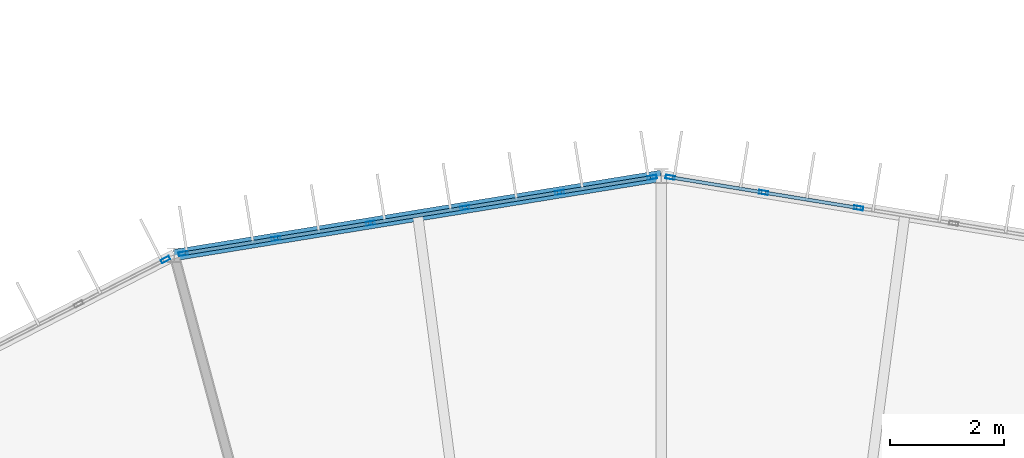
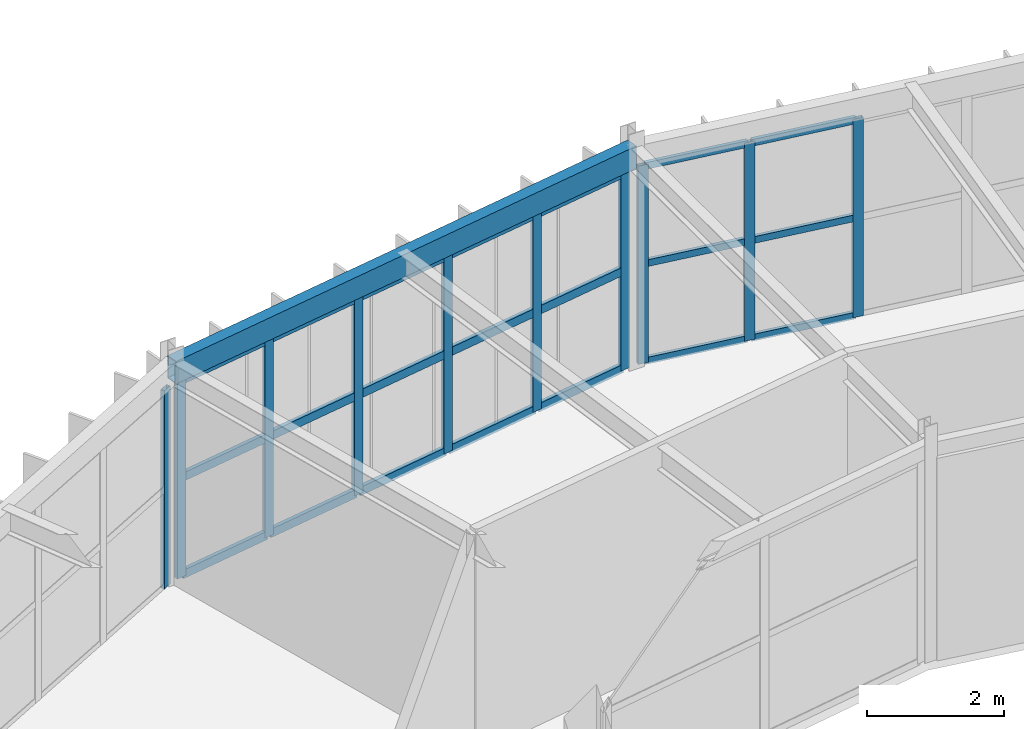
# One storey, part 64 of 106: 31 members, 1 beam, 3 elements without a shape of their own.
"""IFC4 building model written with IfcOpenShell, lengths in metres."""

from ifc_helpers import new_model, si_unit, direction, frame, origin, origin_2d, place, context, subcontext, project, spatial, hollow_rectangle, extrude, material, material_profile, profile_set, type_object, element, aggregate, save


model = new_model("IFC4")

# Units and contexts
model_context = context("Model", 3, precision=1e-05, world=origin(), true_north=direction((0.0, 1.0)))
body_context = subcontext(model_context, "Body", "Model", "MODEL_VIEW")
ifc_project = project(units=[si_unit("LENGTHUNIT", "METRE"), si_unit("AREAUNIT", "SQUARE_METRE"), si_unit("VOLUMEUNIT", "CUBIC_METRE"), si_unit("PLANEANGLEUNIT", "RADIAN"), si_unit("MASSUNIT", "GRAM", prefix="KILO")], contexts=[model_context])

# Site, building, storey
site_placement = place(None, origin())
site = spatial("IfcSite", under=ifc_project, at=site_placement, CompositionType="ELEMENT")
building_placement = place(site_placement, origin())
building = spatial("IfcBuilding", under=site, at=building_placement, Name="Karori Crest Natural Sciences Institute", CompositionType="ELEMENT")
storey_placement = place(building_placement, frame((0.0, 0.0, 25.89990234375)))
storey = spatial("IfcBuildingStorey", under=building, at=storey_placement, Name="L06", CompositionType="ELEMENT", Elevation=25.89990234375)

# Beam
ifc_material_1 = material(Name="Hollow structural steel AS/NZS 1163 Grade C350", Category="steel")
ifc_material_profile_1 = material_profile(ifc_material_1, hollow_rectangle(XDim=0.199951171875, YDim=0.39990234375, WallThickness=0.012451171875, at=origin_2d()), Name="RHS400x200x12.5")
ifc_profile_set_1 = profile_set([ifc_material_profile_1], Name="Hollow structural steel AS/NZS 1163 Grade C350")
beam_type = type_object("IfcBeamType", Name="BT-14", PredefinedType="SPANDREL", material=ifc_profile_set_1)
beam_placement = place(storey_placement, frame((66.39990234375, 90.699951171875, 3.739990234375), z_axis=(-0.987012055933, -0.160646199591, 0.0), x_axis=(0.160646199591, -0.987012055933, 0.0)))
element("IfcBeam", 1, at=beam_placement, inside=storey, type_object=beam_type, Name="Beam B-0662", PredefinedType="SPANDREL", context=body_context, shape_type="SweptSolid", body=[
    extrude(hollow_rectangle(XDim=0.199951171875, YDim=0.39990234375, WallThickness=0.012451171875, at=origin_2d()), origin(), (0.0, 0.0, 1.0), 8.6533203125),
])

# Curtain wall, members
ifc_material_2 = material(Name="Anodised architectural aluminium 6063-T6", Category="aluminium")
curtain_wall_type_1 = type_object("IfcCurtainWallType", Name="CWT-06", PredefinedType="NOTDEFINED", material=ifc_material_2)
curtain_wall_1_placement = place(storey_placement, origin())
curtain_wall_1 = element("IfcCurtainWall", 2, at=curtain_wall_1_placement, inside=storey, type_object=curtain_wall_type_1, Name="Curtain wall CW-0228", PredefinedType="NOTDEFINED")
ifc_material_profile_2 = material_profile(ifc_material_2, hollow_rectangle(XDim=0.06494140625, YDim=0.159912109375, WallThickness=0.00390625, at=origin_2d()), Name="CWM160x65x4")
ifc_profile_set_2 = profile_set([ifc_material_profile_2], Name="Anodised architectural aluminium 6063-T6")
member_type_1 = type_object("IfcMemberType", Name="CWM-01", PredefinedType="MULLION", material=ifc_profile_set_2)
member_1_placement = place(storey_placement, frame((66.55810546875, 90.67431640625, 0.0), z_axis=(0.0, 0.0, 1.0), x_axis=(0.160655493101, 0.987010543275, 0.0)))
member_1 = element("IfcMember", 3, at=member_1_placement, type_object=member_type_1, Name="CW-0228 mullion 1", PredefinedType="MULLION", context=body_context, shape_type="SweptSolid", body=[
    extrude(hollow_rectangle(XDim=0.06494140625, YDim=0.159912109375, WallThickness=0.00390625, at=origin_2d()), origin(), (0.0, 0.0, 1.0), 3.525146484375),
])
member_2_placement = place(storey_placement, frame((68.194091796875, 90.407958984375, 0.0), z_axis=(0.0, 0.0, 1.0), x_axis=(0.160655493101, 0.987010543275, 0.0)))
member_2 = element("IfcMember", 4, at=member_2_placement, type_object=member_type_1, Name="CW-0228 mullion 2", PredefinedType="MULLION", context=body_context, shape_type="SweptSolid", body=[
    extrude(hollow_rectangle(XDim=0.06494140625, YDim=0.159912109375, WallThickness=0.00390625, at=origin_2d()), origin(), (0.0, 0.0, 1.0), 3.525146484375),
])
member_3_placement = place(storey_placement, frame((69.862060546875, 90.136474609375, 0.0), z_axis=(0.0, 0.0, 1.0), x_axis=(0.160655493101, 0.987010543275, 0.0)))
member_3 = element("IfcMember", 5, at=member_3_placement, type_object=member_type_1, Name="CW-0228 mullion 3", PredefinedType="MULLION", context=body_context, shape_type="SweptSolid", body=[
    extrude(hollow_rectangle(XDim=0.06494140625, YDim=0.159912109375, WallThickness=0.00390625, at=origin_2d()), origin(), (0.0, 0.0, 1.0), 3.525146484375),
])

curtain_wall_type_2 = type_object("IfcCurtainWallType", Name="CWT-07", PredefinedType="NOTDEFINED", material=ifc_material_2)
curtain_wall_2_placement = place(storey_placement, origin())
curtain_wall_2 = element("IfcCurtainWall", 6, at=curtain_wall_2_placement, inside=storey, type_object=curtain_wall_type_2, Name="Curtain wall CW-0229", PredefinedType="NOTDEFINED")
member_4_placement = place(storey_placement, frame((58.01611328125, 89.33544921875, 0.0), z_axis=(0.0, 0.0, 1.0), x_axis=(-0.160650246484, 0.987011397252, 0.0)))
member_4 = element("IfcMember", 7, at=member_4_placement, type_object=member_type_1, Name="CW-0229 mullion 1", PredefinedType="MULLION", context=body_context, shape_type="SweptSolid", body=[
    extrude(hollow_rectangle(XDim=0.06494140625, YDim=0.159912109375, WallThickness=0.00390625, at=origin_2d()), origin(), (0.0, 0.0, 1.0), 3.525146484375),
])
member_5_placement = place(storey_placement, frame((59.64208984375, 89.60009765625, 0.0), z_axis=(0.0, 0.0, 1.0), x_axis=(-0.160650246484, 0.987011397252, 0.0)))
member_5 = element("IfcMember", 8, at=member_5_placement, type_object=member_type_1, Name="CW-0229 mullion 2", PredefinedType="MULLION", context=body_context, shape_type="SweptSolid", body=[
    extrude(hollow_rectangle(XDim=0.06494140625, YDim=0.159912109375, WallThickness=0.00390625, at=origin_2d()), origin(), (0.0, 0.0, 1.0), 3.525146484375),
])
member_6_placement = place(storey_placement, frame((61.300048828125, 89.869873046875, 0.0), z_axis=(0.0, 0.0, 1.0), x_axis=(-0.160650246484, 0.987011397252, 0.0)))
member_6 = element("IfcMember", 9, at=member_6_placement, type_object=member_type_1, Name="CW-0229 mullion 3", PredefinedType="MULLION", context=body_context, shape_type="SweptSolid", body=[
    extrude(hollow_rectangle(XDim=0.06494140625, YDim=0.159912109375, WallThickness=0.00390625, at=origin_2d()), origin(), (0.0, 0.0, 1.0), 3.525146484375),
])
member_7_placement = place(storey_placement, frame((62.9580078125, 90.139892578125, 0.0), z_axis=(0.0, 0.0, 1.0), x_axis=(-0.160650246484, 0.987011397252, 0.0)))
member_7 = element("IfcMember", 10, at=member_7_placement, type_object=member_type_1, Name="CW-0229 mullion 4", PredefinedType="MULLION", context=body_context, shape_type="SweptSolid", body=[
    extrude(hollow_rectangle(XDim=0.06494140625, YDim=0.159912109375, WallThickness=0.00390625, at=origin_2d()), origin(), (0.0, 0.0, 1.0), 3.525146484375),
])
member_8_placement = place(storey_placement, frame((64.615966796875, 90.40966796875, 0.0), z_axis=(0.0, 0.0, 1.0), x_axis=(-0.160650246484, 0.987011397252, 0.0)))
member_8 = element("IfcMember", 11, at=member_8_placement, type_object=member_type_1, Name="CW-0229 mullion 5", PredefinedType="MULLION", context=body_context, shape_type="SweptSolid", body=[
    extrude(hollow_rectangle(XDim=0.06494140625, YDim=0.159912109375, WallThickness=0.00390625, at=origin_2d()), origin(), (0.0, 0.0, 1.0), 3.525146484375),
])
member_9_placement = place(storey_placement, frame((66.241943359375, 90.67431640625, 0.0), z_axis=(0.0, 0.0, 1.0), x_axis=(-0.160650246484, 0.987011397252, 0.0)))
member_9 = element("IfcMember", 12, at=member_9_placement, type_object=member_type_1, Name="CW-0229 mullion 6", PredefinedType="MULLION", context=body_context, shape_type="SweptSolid", body=[
    extrude(hollow_rectangle(XDim=0.06494140625, YDim=0.159912109375, WallThickness=0.00390625, at=origin_2d()), origin(), (0.0, 0.0, 1.0), 3.525146484375),
])

# Curtain wall, member
curtain_wall_type_3 = type_object("IfcCurtainWallType", Name="CWT-08", PredefinedType="NOTDEFINED", material=ifc_material_2)
curtain_wall_3_placement = place(storey_placement, origin())
curtain_wall_3 = element("IfcCurtainWall", 13, at=curtain_wall_3_placement, inside=storey, type_object=curtain_wall_type_3, Name="Curtain wall CW-0231", PredefinedType="NOTDEFINED")
member_10_placement = place(storey_placement, frame((57.704833984375, 89.23095703125, 0.0), z_axis=(0.0, 0.0, 1.0), x_axis=(-0.455828878252, 0.890067432138, 0.0)))
member_10 = element("IfcMember", 14, at=member_10_placement, type_object=member_type_1, Name="CW-0231 mullion 6", PredefinedType="MULLION", context=body_context, shape_type="SweptSolid", body=[
    extrude(hollow_rectangle(XDim=0.06494140625, YDim=0.159912109375, WallThickness=0.00390625, at=origin_2d()), origin(), (0.0, 0.0, 1.0), 3.525146484375),
])
aggregate(curtain_wall_3, [member_10])

# Member
ifc_material_profile_3 = material_profile(ifc_material_2, hollow_rectangle(XDim=0.06005859375, YDim=0.1201171875, WallThickness=0.00390625, at=origin_2d()), Name="CWT120x60x4")
ifc_profile_set_3 = profile_set([ifc_material_profile_3], Name="Anodised architectural aluminium 6063-T6")
member_type_2 = type_object("IfcMemberType", Name="CWT-TR1", PredefinedType="USERDEFINED", material=ifc_profile_set_3)
member_11_placement = place(storey_placement, frame((66.590087890625, 90.6689453125, 0.030029296875), z_axis=(0.987032702113, -0.160519297781, 0.0), x_axis=(0.160519297781, 0.987032702113, 0.0)))
member_11 = element("IfcMember", 15, at=member_11_placement, type_object=member_type_2, Name="CW-0228 transom 1.1", ObjectType="TRANSOM", PredefinedType="USERDEFINED", context=body_context, shape_type="SweptSolid", body=[
    extrude(hollow_rectangle(XDim=0.06005859375, YDim=0.1201171875, WallThickness=0.00390625, at=origin_2d()), origin(), (0.0, 0.0, 1.0), 1.592529296875),
])

member_12_placement = place(storey_placement, frame((66.590087890625, 90.6689453125, 1.7626953125), z_axis=(0.987032702113, -0.160519297781, 0.0), x_axis=(0.160519297781, 0.987032702113, 0.0)))
member_12 = element("IfcMember", 16, at=member_12_placement, type_object=member_type_2, Name="CW-0228 transom 1.2", ObjectType="TRANSOM", PredefinedType="USERDEFINED", context=body_context, shape_type="SweptSolid", body=[
    extrude(hollow_rectangle(XDim=0.06005859375, YDim=0.1201171875, WallThickness=0.00390625, at=origin_2d()), origin(), (0.0, 0.0, 1.0), 1.592529296875),
])

member_13_placement = place(storey_placement, frame((66.590087890625, 90.6689453125, 3.4951171875), z_axis=(0.987032702113, -0.160519297781, 0.0), x_axis=(0.160519297781, 0.987032702113, 0.0)))
member_13 = element("IfcMember", 17, at=member_13_placement, type_object=member_type_2, Name="CW-0228 transom 1.3", ObjectType="TRANSOM", PredefinedType="USERDEFINED", context=body_context, shape_type="SweptSolid", body=[
    extrude(hollow_rectangle(XDim=0.06005859375, YDim=0.1201171875, WallThickness=0.00390625, at=origin_2d()), origin(), (0.0, 0.0, 1.0), 1.592529296875),
])

member_14_placement = place(storey_placement, frame((68.22607421875, 90.40283203125, 0.030029296875), z_axis=(0.98699230398, -0.160767508793, 0.0), x_axis=(0.160767508793, 0.98699230398, 0.0)))
member_14 = element("IfcMember", 18, at=member_14_placement, type_object=member_type_2, Name="CW-0228 transom 2.1", ObjectType="TRANSOM", PredefinedType="USERDEFINED", context=body_context, shape_type="SweptSolid", body=[
    extrude(hollow_rectangle(XDim=0.06005859375, YDim=0.1201171875, WallThickness=0.00390625, at=origin_2d()), origin(), (0.0, 0.0, 1.0), 1.625),
])

member_15_placement = place(storey_placement, frame((68.22607421875, 90.40283203125, 1.7626953125), z_axis=(0.98699230398, -0.160767508793, 0.0), x_axis=(0.160767508793, 0.98699230398, 0.0)))
member_15 = element("IfcMember", 19, at=member_15_placement, type_object=member_type_2, Name="CW-0228 transom 2.2", ObjectType="TRANSOM", PredefinedType="USERDEFINED", context=body_context, shape_type="SweptSolid", body=[
    extrude(hollow_rectangle(XDim=0.06005859375, YDim=0.1201171875, WallThickness=0.00390625, at=origin_2d()), origin(), (0.0, 0.0, 1.0), 1.625),
])

member_16_placement = place(storey_placement, frame((68.22607421875, 90.40283203125, 3.4951171875), z_axis=(0.98699230398, -0.160767508793, 0.0), x_axis=(0.160767508793, 0.98699230398, 0.0)))
member_16 = element("IfcMember", 20, at=member_16_placement, type_object=member_type_2, Name="CW-0228 transom 2.3", ObjectType="TRANSOM", PredefinedType="USERDEFINED", context=body_context, shape_type="SweptSolid", body=[
    extrude(hollow_rectangle(XDim=0.06005859375, YDim=0.1201171875, WallThickness=0.00390625, at=origin_2d()), origin(), (0.0, 0.0, 1.0), 1.625),
])

aggregate(curtain_wall_1, [member_1, member_2, member_3, member_11, member_12, member_13, member_14, member_15, member_16])

ifc_material_profile_4 = material_profile(ifc_material_2, hollow_rectangle(XDim=0.06494140625, YDim=0.14990234375, WallThickness=0.00390625, at=origin_2d()), Name="CWT150x65x4")
ifc_profile_set_4 = profile_set([ifc_material_profile_4], Name="Anodised architectural aluminium 6063-T6")
member_type_3 = type_object("IfcMemberType", Name="CWT-TR2", PredefinedType="USERDEFINED", material=ifc_profile_set_4)
member_17_placement = place(storey_placement, frame((58.04833984375, 89.340576171875, 0.03271484375), z_axis=(0.987016373134, 0.160619672414, 0.0), x_axis=(-0.160619672414, 0.987016373134, 0.0)))
member_17 = element("IfcMember", 21, at=member_17_placement, type_object=member_type_3, Name="CW-0229 transom 1.1", ObjectType="TRANSOM", PredefinedType="USERDEFINED", context=body_context, shape_type="SweptSolid", body=[
    extrude(hollow_rectangle(XDim=0.06494140625, YDim=0.14990234375, WallThickness=0.00390625, at=origin_2d()), origin(), (0.0, 0.0, 1.0), 1.582275390625),
])

member_18_placement = place(storey_placement, frame((58.04833984375, 89.340576171875, 1.7626953125), z_axis=(0.987016373134, 0.160619672414, 0.0), x_axis=(-0.160619672414, 0.987016373134, 0.0)))
member_18 = element("IfcMember", 22, at=member_18_placement, type_object=member_type_3, Name="CW-0229 transom 1.2", ObjectType="TRANSOM", PredefinedType="USERDEFINED", context=body_context, shape_type="SweptSolid", body=[
    extrude(hollow_rectangle(XDim=0.06494140625, YDim=0.14990234375, WallThickness=0.00390625, at=origin_2d()), origin(), (0.0, 0.0, 1.0), 1.582275390625),
])

member_19_placement = place(storey_placement, frame((58.04833984375, 89.340576171875, 3.49267578125), z_axis=(0.987016373134, 0.160619672414, 0.0), x_axis=(-0.160619672414, 0.987016373134, 0.0)))
member_19 = element("IfcMember", 23, at=member_19_placement, type_object=member_type_3, Name="CW-0229 transom 1.3", ObjectType="TRANSOM", PredefinedType="USERDEFINED", context=body_context, shape_type="SweptSolid", body=[
    extrude(hollow_rectangle(XDim=0.06494140625, YDim=0.14990234375, WallThickness=0.00390625, at=origin_2d()), origin(), (0.0, 0.0, 1.0), 1.582275390625),
])

member_20_placement = place(storey_placement, frame((59.674072265625, 89.605224609375, 0.03271484375), z_axis=(0.987003924492, 0.160696151284, 0.0), x_axis=(-0.160696151284, 0.987003924492, 0.0)))
member_20 = element("IfcMember", 24, at=member_20_placement, type_object=member_type_3, Name="CW-0229 transom 2.1", ObjectType="TRANSOM", PredefinedType="USERDEFINED", context=body_context, shape_type="SweptSolid", body=[
    extrude(hollow_rectangle(XDim=0.06494140625, YDim=0.14990234375, WallThickness=0.00390625, at=origin_2d()), origin(), (0.0, 0.0, 1.0), 1.614990234375),
])

member_21_placement = place(storey_placement, frame((59.674072265625, 89.605224609375, 1.7626953125), z_axis=(0.987003924492, 0.160696151284, 0.0), x_axis=(-0.160696151284, 0.987003924492, 0.0)))
member_21 = element("IfcMember", 25, at=member_21_placement, type_object=member_type_3, Name="CW-0229 transom 2.2", ObjectType="TRANSOM", PredefinedType="USERDEFINED", context=body_context, shape_type="SweptSolid", body=[
    extrude(hollow_rectangle(XDim=0.06494140625, YDim=0.14990234375, WallThickness=0.00390625, at=origin_2d()), origin(), (0.0, 0.0, 1.0), 1.614990234375),
])

member_22_placement = place(storey_placement, frame((59.674072265625, 89.605224609375, 3.49267578125), z_axis=(0.987003924492, 0.160696151284, 0.0), x_axis=(-0.160696151284, 0.987003924492, 0.0)))
member_22 = element("IfcMember", 26, at=member_22_placement, type_object=member_type_3, Name="CW-0229 transom 2.3", ObjectType="TRANSOM", PredefinedType="USERDEFINED", context=body_context, shape_type="SweptSolid", body=[
    extrude(hollow_rectangle(XDim=0.06494140625, YDim=0.14990234375, WallThickness=0.00390625, at=origin_2d()), origin(), (0.0, 0.0, 1.0), 1.614990234375),
])

member_23_placement = place(storey_placement, frame((61.33203125, 89.875244140625, 0.03271484375), z_axis=(0.987027891182, 0.160548877383, 0.0), x_axis=(-0.160548877383, 0.987027891182, 0.0)))
member_23 = element("IfcMember", 27, at=member_23_placement, type_object=member_type_3, Name="CW-0229 transom 3.1", ObjectType="TRANSOM", PredefinedType="USERDEFINED", context=body_context, shape_type="SweptSolid", body=[
    extrude(hollow_rectangle(XDim=0.06494140625, YDim=0.14990234375, WallThickness=0.00390625, at=origin_2d()), origin(), (0.0, 0.0, 1.0), 1.614990234375),
])

member_24_placement = place(storey_placement, frame((61.33203125, 89.875244140625, 1.7626953125), z_axis=(0.987027891182, 0.160548877383, 0.0), x_axis=(-0.160548877383, 0.987027891182, 0.0)))
member_24 = element("IfcMember", 28, at=member_24_placement, type_object=member_type_3, Name="CW-0229 transom 3.2", ObjectType="TRANSOM", PredefinedType="USERDEFINED", context=body_context, shape_type="SweptSolid", body=[
    extrude(hollow_rectangle(XDim=0.06494140625, YDim=0.14990234375, WallThickness=0.00390625, at=origin_2d()), origin(), (0.0, 0.0, 1.0), 1.614990234375),
])

member_25_placement = place(storey_placement, frame((61.33203125, 89.875244140625, 3.49267578125), z_axis=(0.987027891182, 0.160548877383, 0.0), x_axis=(-0.160548877383, 0.987027891182, 0.0)))
member_25 = element("IfcMember", 29, at=member_25_placement, type_object=member_type_3, Name="CW-0229 transom 3.3", ObjectType="TRANSOM", PredefinedType="USERDEFINED", context=body_context, shape_type="SweptSolid", body=[
    extrude(hollow_rectangle(XDim=0.06494140625, YDim=0.14990234375, WallThickness=0.00390625, at=origin_2d()), origin(), (0.0, 0.0, 1.0), 1.614990234375),
])

member_26_placement = place(storey_placement, frame((62.990234375, 90.14501953125, 0.03271484375), z_axis=(0.987023993607, 0.160572837195, 0.0), x_axis=(-0.160572837195, 0.987023993607, 0.0)))
member_26 = element("IfcMember", 30, at=member_26_placement, type_object=member_type_3, Name="CW-0229 transom 4.1", ObjectType="TRANSOM", PredefinedType="USERDEFINED", context=body_context, shape_type="SweptSolid", body=[
    extrude(hollow_rectangle(XDim=0.06494140625, YDim=0.14990234375, WallThickness=0.00390625, at=origin_2d()), origin(), (0.0, 0.0, 1.0), 1.61474609375),
])

member_27_placement = place(storey_placement, frame((62.990234375, 90.14501953125, 1.7626953125), z_axis=(0.987023993607, 0.160572837195, 0.0), x_axis=(-0.160572837195, 0.987023993607, 0.0)))
member_27 = element("IfcMember", 31, at=member_27_placement, type_object=member_type_3, Name="CW-0229 transom 4.2", ObjectType="TRANSOM", PredefinedType="USERDEFINED", context=body_context, shape_type="SweptSolid", body=[
    extrude(hollow_rectangle(XDim=0.06494140625, YDim=0.14990234375, WallThickness=0.00390625, at=origin_2d()), origin(), (0.0, 0.0, 1.0), 1.61474609375),
])

member_28_placement = place(storey_placement, frame((62.990234375, 90.14501953125, 3.49267578125), z_axis=(0.987023993607, 0.160572837195, 0.0), x_axis=(-0.160572837195, 0.987023993607, 0.0)))
member_28 = element("IfcMember", 32, at=member_28_placement, type_object=member_type_3, Name="CW-0229 transom 4.3", ObjectType="TRANSOM", PredefinedType="USERDEFINED", context=body_context, shape_type="SweptSolid", body=[
    extrude(hollow_rectangle(XDim=0.06494140625, YDim=0.14990234375, WallThickness=0.00390625, at=origin_2d()), origin(), (0.0, 0.0, 1.0), 1.61474609375),
])

member_29_placement = place(storey_placement, frame((64.648193359375, 90.414794921875, 0.03271484375), z_axis=(0.987016373134, 0.160619672414, 0.0), x_axis=(-0.160619672414, 0.987016373134, 0.0)))
member_29 = element("IfcMember", 33, at=member_29_placement, type_object=member_type_3, Name="CW-0229 transom 5.1", ObjectType="TRANSOM", PredefinedType="USERDEFINED", context=body_context, shape_type="SweptSolid", body=[
    extrude(hollow_rectangle(XDim=0.06494140625, YDim=0.14990234375, WallThickness=0.00390625, at=origin_2d()), origin(), (0.0, 0.0, 1.0), 1.582275390625),
])

member_30_placement = place(storey_placement, frame((64.648193359375, 90.414794921875, 1.7626953125), z_axis=(0.987016373134, 0.160619672414, 0.0), x_axis=(-0.160619672414, 0.987016373134, 0.0)))
member_30 = element("IfcMember", 34, at=member_30_placement, type_object=member_type_3, Name="CW-0229 transom 5.2", ObjectType="TRANSOM", PredefinedType="USERDEFINED", context=body_context, shape_type="SweptSolid", body=[
    extrude(hollow_rectangle(XDim=0.06494140625, YDim=0.14990234375, WallThickness=0.00390625, at=origin_2d()), origin(), (0.0, 0.0, 1.0), 1.582275390625),
])

member_31_placement = place(storey_placement, frame((64.648193359375, 90.414794921875, 3.49267578125), z_axis=(0.987016373134, 0.160619672414, 0.0), x_axis=(-0.160619672414, 0.987016373134, 0.0)))
member_31 = element("IfcMember", 35, at=member_31_placement, type_object=member_type_3, Name="CW-0229 transom 5.3", ObjectType="TRANSOM", PredefinedType="USERDEFINED", context=body_context, shape_type="SweptSolid", body=[
    extrude(hollow_rectangle(XDim=0.06494140625, YDim=0.14990234375, WallThickness=0.00390625, at=origin_2d()), origin(), (0.0, 0.0, 1.0), 1.582275390625),
])

aggregate(curtain_wall_2, [member_4, member_5, member_6, member_7, member_8, member_9, member_17, member_18, member_19, member_20, member_21, member_22, member_23, member_24, member_25, member_26, member_27, member_28, member_29, member_30, member_31])

save(model, "model.ifc")
